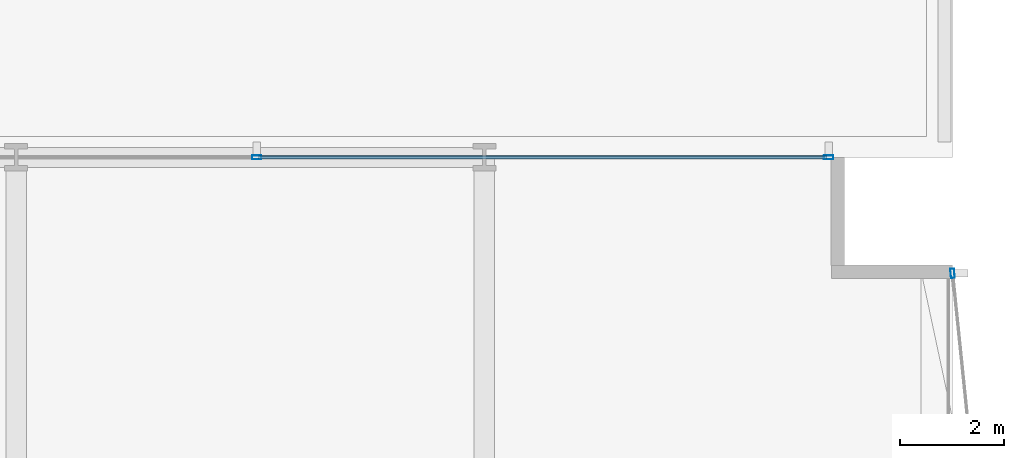
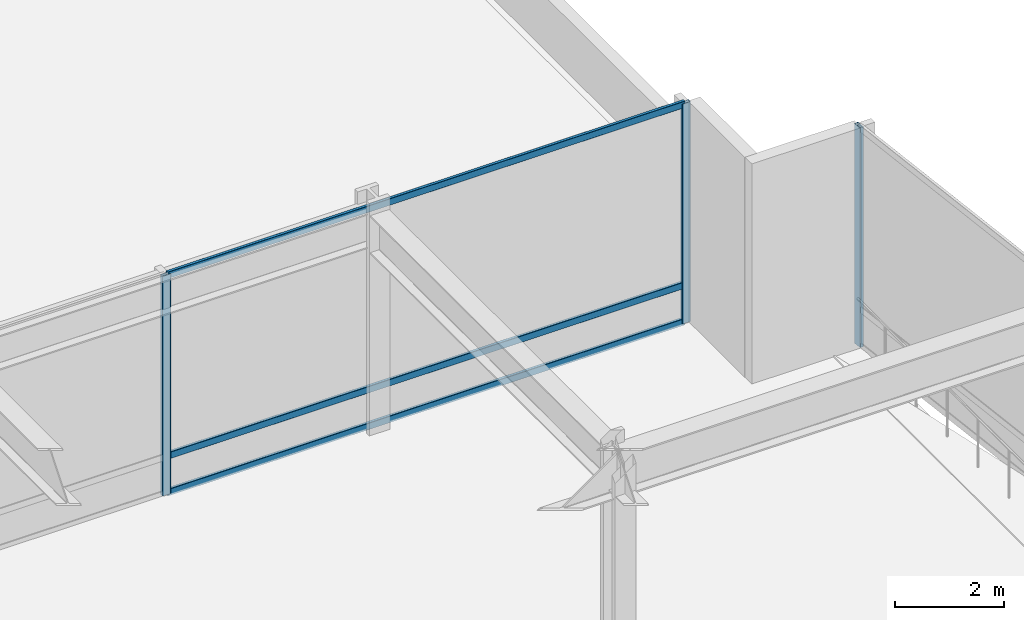
# One storey, part 15 of 37: 6 members, 2 elements without a shape of their own.
"""IFC4 building model written with IfcOpenShell, lengths in metres."""

from ifc_helpers import new_model, si_unit, direction, frame, origin, origin_2d, place, context, subcontext, project, spatial, hollow_rectangle, extrude, material, layer, layer_set, material_profile, profile_set, type_object, element, aggregate, save


model = new_model("IFC4")

# Units and contexts
model_context = context("Model", 3, precision=1e-05, world=origin(), true_north=direction((0.0, 1.0)))
body_context = subcontext(model_context, "Body", "Model", "MODEL_VIEW")
ifc_project = project(units=[si_unit("LENGTHUNIT", "METRE"), si_unit("AREAUNIT", "SQUARE_METRE"), si_unit("VOLUMEUNIT", "CUBIC_METRE"), si_unit("PLANEANGLEUNIT", "RADIAN"), si_unit("MASSUNIT", "GRAM", prefix="KILO")], contexts=[model_context])

# Site, building, storey
site_placement = place(None, origin())
site = spatial("IfcSite", under=ifc_project, at=site_placement, CompositionType="ELEMENT")
building_placement = place(site_placement, origin())
building = spatial("IfcBuilding", under=site, at=building_placement, Name="Solvaryn Broadcast Tower", CompositionType="ELEMENT")
storey_placement = place(building_placement, frame((0.0, 0.0, 30.800048828125)))
storey = spatial("IfcBuildingStorey", under=building, at=storey_placement, Name="L06", CompositionType="ELEMENT", Elevation=30.800048828125)

# Curtain wall, member
ifc_material_1 = material(Name="Aluminium and Terracotta Unitised Curtain Wall", Category="masonry")
ifc_layer = layer(ifc_material_1, 0.199951171875)
ifc_layer_set = layer_set([ifc_layer], Name="CW-SYS2-LOWMID")
curtain_wall_type = type_object("IfcCurtainWallType", Name="CW-SYS2-LOWMID", PredefinedType="NOTDEFINED", material=ifc_layer_set)
curtain_wall_1_placement = place(storey_placement, origin())
curtain_wall_1 = element("IfcCurtainWall", 1, at=curtain_wall_1_placement, inside=storey, type_object=curtain_wall_type, Name="L06 Curtain Wall ET1", PredefinedType="NOTDEFINED")
ifc_material_2 = material(Name="Anodised Aluminium 6063-T6", Category="aluminium")
ifc_material_profile_1 = material_profile(ifc_material_2, hollow_rectangle(XDim=0.074951171875, YDim=0.179931640625, WallThickness=0.00390625, InnerFilletRadius=0.00390625, OuterFilletRadius=0.008056640625, at=origin_2d()))
ifc_profile_set_1 = profile_set([ifc_material_profile_1], Name="Anodised Aluminium 6063-T6")
member_type_1 = type_object("IfcMemberType", Name="CW-MUL-180", PredefinedType="MULLION", material=ifc_profile_set_1)
member_1_placement = place(storey_placement, frame((63.003173828125, 24.770263671875, 0.0), z_axis=(0.0, 0.0, 1.0), x_axis=(0.99474329889, 0.10240004548, 0.0)))
member_1 = element("IfcMember", 2, at=member_1_placement, type_object=member_type_1, Name="CWS2 mullion 1", PredefinedType="MULLION", context=body_context, shape_type="SweptSolid", body=[
    extrude(hollow_rectangle(XDim=0.074951171875, YDim=0.179931640625, WallThickness=0.00390625, InnerFilletRadius=0.00390625, OuterFilletRadius=0.008056640625, at=origin_2d()), origin(), (0.0, 0.0, 1.0), 4.919921875),
])
aggregate(curtain_wall_1, [member_1])

# Curtain wall, members
curtain_wall_2_placement = place(storey_placement, origin())
curtain_wall_2 = element("IfcCurtainWall", 3, at=curtain_wall_2_placement, inside=storey, type_object=curtain_wall_type, Name="L06 Curtain Wall IH", PredefinedType="NOTDEFINED")
member_2_placement = place(storey_placement, frame((49.625, 27.0, 0.0), z_axis=(0.0, 0.0, 1.0), x_axis=(0.0, 1.0, 0.0)))
member_2 = element("IfcMember", 4, at=member_2_placement, type_object=member_type_1, Name="CWS2 mullion 2", PredefinedType="MULLION", context=body_context, shape_type="SweptSolid", body=[
    extrude(hollow_rectangle(XDim=0.074951171875, YDim=0.179931640625, WallThickness=0.00390625, InnerFilletRadius=0.00390625, OuterFilletRadius=0.008056640625, at=origin_2d()), origin(), (0.0, 0.0, 1.0), 4.919921875),
])
member_3_placement = place(storey_placement, frame((60.6201171875, 27.0, 0.0), z_axis=(0.0, 0.0, 1.0), x_axis=(0.0, 1.0, 0.0)))
member_3 = element("IfcMember", 5, at=member_3_placement, type_object=member_type_1, Name="CWS2 mullion 3", PredefinedType="MULLION", context=body_context, shape_type="SweptSolid", body=[
    extrude(hollow_rectangle(XDim=0.074951171875, YDim=0.179931640625, WallThickness=0.00390625, InnerFilletRadius=0.00390625, OuterFilletRadius=0.008056640625, at=origin_2d()), origin(), (0.0, 0.0, 1.0), 4.919921875),
])
ifc_material_3 = material(Name="Anodised Aluminium 6063-T6", Category="aluminium")
ifc_material_profile_2 = material_profile(ifc_material_3, hollow_rectangle(XDim=0.06494140625, YDim=0.14990234375, WallThickness=0.00390625, InnerFilletRadius=0.00390625, OuterFilletRadius=0.008056640625, at=origin_2d()))
ifc_profile_set_2 = profile_set([ifc_material_profile_2], Name="Anodised Aluminium 6063-T6")
member_type_2 = type_object("IfcMemberType", Name="CW-TRN-150", PredefinedType="USERDEFINED", material=ifc_profile_set_2)
member_4_placement = place(storey_placement, frame((49.655029296875, 27.0, 0.030029296875), z_axis=(1.0, 0.0, 0.0), x_axis=(0.0, 1.0, 0.0)))
member_4 = element("IfcMember", 6, at=member_4_placement, type_object=member_type_2, Name="CWS2 transom 2.1", ObjectType="TRANSOM", PredefinedType="USERDEFINED", context=body_context, shape_type="SweptSolid", body=[
    extrude(hollow_rectangle(XDim=0.06494140625, YDim=0.14990234375, WallThickness=0.00390625, InnerFilletRadius=0.00390625, OuterFilletRadius=0.008056640625, at=origin_2d()), origin(), (0.0, 0.0, 1.0), 10.93505859375),
])
member_5_placement = place(storey_placement, frame((49.655029296875, 27.0, 0.849853515625), z_axis=(1.0, 0.0, 0.0), x_axis=(0.0, 1.0, 0.0)))
member_5 = element("IfcMember", 7, at=member_5_placement, type_object=member_type_2, Name="CWS2 transom 2.2", ObjectType="TRANSOM", PredefinedType="USERDEFINED", context=body_context, shape_type="SweptSolid", body=[
    extrude(hollow_rectangle(XDim=0.06494140625, YDim=0.14990234375, WallThickness=0.00390625, InnerFilletRadius=0.00390625, OuterFilletRadius=0.008056640625, at=origin_2d()), origin(), (0.0, 0.0, 1.0), 10.93505859375),
])
member_6_placement = place(storey_placement, frame((49.655029296875, 27.0, 4.889892578125), z_axis=(1.0, 0.0, 0.0), x_axis=(0.0, 1.0, 0.0)))
member_6 = element("IfcMember", 8, at=member_6_placement, type_object=member_type_2, Name="CWS2 transom 2.3", ObjectType="TRANSOM", PredefinedType="USERDEFINED", context=body_context, shape_type="SweptSolid", body=[
    extrude(hollow_rectangle(XDim=0.06494140625, YDim=0.14990234375, WallThickness=0.00390625, InnerFilletRadius=0.00390625, OuterFilletRadius=0.008056640625, at=origin_2d()), origin(), (0.0, 0.0, 1.0), 10.93505859375),
])
aggregate(curtain_wall_2, [member_2, member_3, member_4, member_5, member_6])

save(model, "model.ifc")
